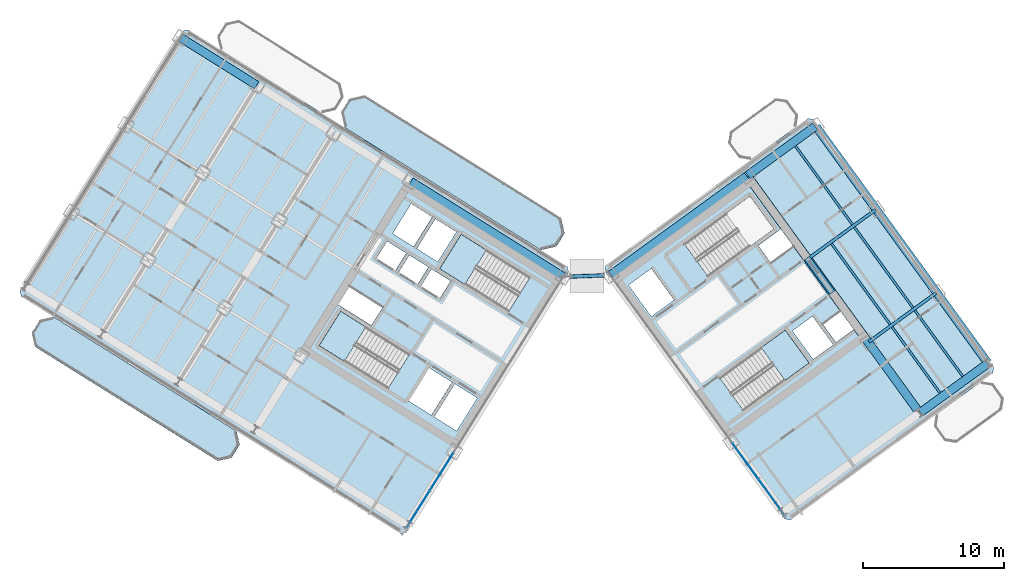
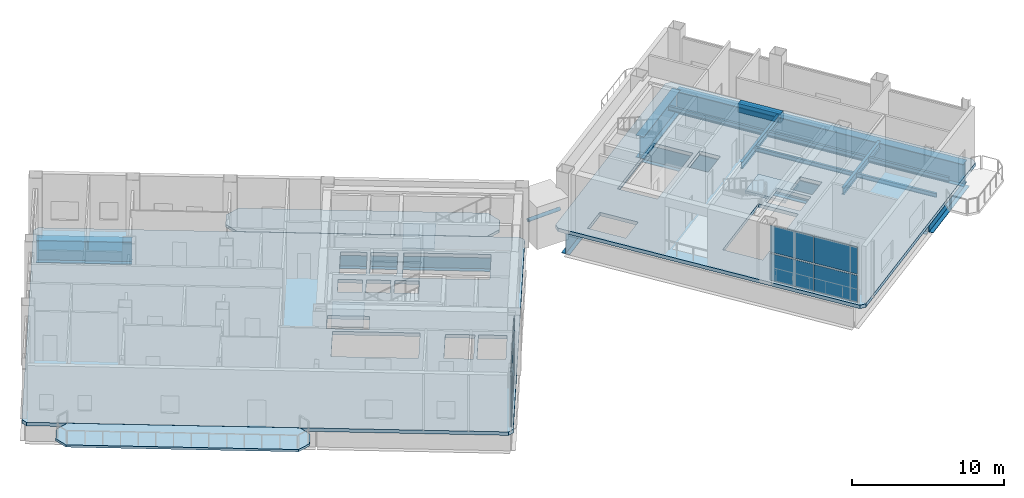
# One storey, part 9 of 22: 15 beams, 8 plates, 7 slabs, 1 member, 5 elements without a shape of their own.
"""IFC4 building model written with IfcOpenShell, lengths in metres."""

import ifcopenshell
import ifcopenshell.guid

model = None  # the IFC model being written
_history = None  # IfcOwnerHistory: only IFC2X3 demands one
_inside = {}  # id of a spatial element -> (the spatial element, [elements in it])
_under = {}  # id of a project, library or spatial element -> (it, [spatial elements below it])
_declared = {}  # id of a project -> (the project, [libraries it declares])
_typed = {}  # id of a type object -> (the type object, [elements of that type])
_made_of = {}  # id of a material, layer set ... -> (it, [elements and type objects made of it])


def new_model(schema):
    """Start an empty IFC model of exactly this schema.

    Asked for "IFC4X3", IfcOpenShell would pick the latest addendum, in which some entities
    have other attributes; the version numbers below select the first issue.
    IFC2X3 requires an IfcOwnerHistory on every rooted entity: one is made here for all.
    """
    global model, _history
    if schema == "IFC4X3":
        model = ifcopenshell.file(schema_version=(4, 3, 0, 0))
    else:
        model = ifcopenshell.file(schema=schema)
    _inside.clear()
    _under.clear()
    _declared.clear()
    _typed.clear()
    _made_of.clear()
    _history = None
    if model.schema == "IFC2X3":
        org = make("IfcOrganization", Name="unknown")
        user = make(
            "IfcPersonAndOrganization",
            ThePerson=make("IfcPerson", FamilyName="unknown"),
            TheOrganization=org,
        )
        app = make(
            "IfcApplication",
            ApplicationDeveloper=org,
            Version="unknown",
            ApplicationFullName="unknown",
            ApplicationIdentifier="unknown",
        )
        _history = make(
            "IfcOwnerHistory",
            OwningUser=user,
            OwningApplication=app,
            ChangeAction="ADDED",
            CreationDate=0,
        )
    return model


def make(cls, **values):
    """One entity of the class cls with the attributes given. An attribute that is None is left unset."""
    return model.create_entity(
        cls, **{name: value for name, value in values.items() if value is not None}
    )


def rooted(cls, **values):
    """An entity with a GlobalId (a new one), such as an element, a storey or a relation."""
    return make(cls, GlobalId=ifcopenshell.guid.new(), OwnerHistory=_history, **values)


def si_unit(unit_type, name, prefix=None):
    """IfcSIUnit, for example si_unit("LENGTHUNIT", "METRE", prefix="MILLI")."""
    return make("IfcSIUnit", UnitType=unit_type, Prefix=prefix, Name=name)


def assignment(units):
    """IfcUnitAssignment: the units of a project."""
    return None if units is None else make("IfcUnitAssignment", Units=units)


def point(xyz):
    """IfcCartesianPoint."""
    return None if xyz is None else make("IfcCartesianPoint", Coordinates=xyz)


def direction(xyz):
    """IfcDirection."""
    return None if xyz is None else make("IfcDirection", DirectionRatios=xyz)


def frame(location, z_axis=None, x_axis=None):
    """IfcAxis2Placement3D, a coordinate frame: its origin and axes. An axis left out is left unset."""
    return make(
        "IfcAxis2Placement3D",
        Location=point(location),
        Axis=direction(z_axis),
        RefDirection=direction(x_axis),
    )


def frame_2d(location, x_axis=None):
    """IfcAxis2Placement2D, a coordinate frame in the plane: its origin and x axis."""
    return make(
        "IfcAxis2Placement2D", Location=point(location), RefDirection=direction(x_axis)
    )


def origin():
    """The frame at (0, 0, 0) with its axes left unset."""
    return frame((0.0, 0.0, 0.0))


def origin_2d():
    """The frame at (0, 0) in the plane with its x axis left unset."""
    return frame_2d((0.0, 0.0))


def place(relative_to, where):
    """IfcLocalPlacement: puts the frame where relative to a parent placement (None: the world)."""
    return make(
        "IfcLocalPlacement", PlacementRelTo=relative_to, RelativePlacement=where
    )


def context(
    kind, dimensions, precision=None, world=None, true_north=None, identifier=None
):
    """IfcGeometricRepresentationContext, for example the 3D "Model" context."""
    return make(
        "IfcGeometricRepresentationContext",
        ContextIdentifier=identifier,
        ContextType=kind,
        CoordinateSpaceDimension=dimensions,
        Precision=precision,
        WorldCoordinateSystem=world,
        TrueNorth=true_north,
    )


def subcontext(parent, identifier, kind, view, scale=None):
    """IfcGeometricRepresentationSubContext, for example "Body" below "Model"."""
    return make(
        "IfcGeometricRepresentationSubContext",
        ContextIdentifier=identifier,
        ContextType=kind,
        ParentContext=parent,
        TargetScale=scale,
        TargetView=view,
    )


def project(units=None, contexts=None):
    """IfcProject with its units and contexts."""
    return rooted(
        "IfcProject",
        Name="project",
        RepresentationContexts=contexts,
        UnitsInContext=assignment(units),
    )


def spatial(cls, under=None, at=None, **own):
    """A site, building, storey or space (cls), placed at a placement, below another one or the project."""
    s = rooted(cls, ObjectPlacement=at, **own)
    if under is not None:
        _under.setdefault(under.id(), (under, []))[1].append(s)
    return s


def polyline(points):
    """IfcPolyline through the points."""
    return make("IfcPolyline", Points=[point(p) for p in points])


def profile(cls, at=None, kind="AREA", **sizes):
    """A parametric profile (cls). Its sizes go by their IFC names, for example OverallWidth=200.0."""
    return make(cls, ProfileType=kind, Position=at, **sizes)


def rectangle(**sizes):
    """IfcRectangleProfileDef."""
    return profile("IfcRectangleProfileDef", **sizes)


def hollow_circle(**sizes):
    """IfcCircleHollowProfileDef."""
    return profile("IfcCircleHollowProfileDef", **sizes)


def i_section(**sizes):
    """IfcIShapeProfileDef."""
    return profile("IfcIShapeProfileDef", **sizes)


def outline(outer, holes=None, kind="AREA"):
    """IfcArbitraryClosedProfileDef: a profile drawn as a closed curve; with holes, ...WithVoids."""
    if holes is None:
        return make("IfcArbitraryClosedProfileDef", ProfileType=kind, OuterCurve=outer)
    return make(
        "IfcArbitraryProfileDefWithVoids",
        ProfileType=kind,
        OuterCurve=outer,
        InnerCurves=holes,
    )


def extrude(swept, where, along, depth):
    """IfcExtrudedAreaSolid: the profile swept, set in the frame where, extruded along a direction by depth."""
    return make(
        "IfcExtrudedAreaSolid",
        SweptArea=swept,
        Position=where,
        ExtrudedDirection=direction(along),
        Depth=depth,
    )


def shape(context_of_items, identifier, shape_type, items):
    """IfcShapeRepresentation: the items that make up one representation, for example the "Body"."""
    return make(
        "IfcShapeRepresentation",
        ContextOfItems=context_of_items,
        RepresentationIdentifier=identifier,
        RepresentationType=shape_type,
        Items=items,
    )


def source(mapping_origin, context_of_items, identifier, shape_type, items):
    """IfcRepresentationMap: a shape defined once, which mapped items show again and again."""
    return make(
        "IfcRepresentationMap",
        MappingOrigin=mapping_origin,
        MappedRepresentation=shape(context_of_items, identifier, shape_type, items),
    )


def transform(
    local_origin,
    x_axis=None,
    y_axis=None,
    z_axis=None,
    scale=None,
    scale2=None,
    scale3=None,
    uniform=True,
):
    """IfcCartesianTransformationOperator3D, or its non-uniform kind. x_axis, y_axis, z_axis: its Axis1, 2, 3."""
    if uniform:
        return make(
            "IfcCartesianTransformationOperator3D",
            Axis1=direction(x_axis),
            Axis2=direction(y_axis),
            LocalOrigin=point(local_origin),
            Scale=scale,
            Axis3=direction(z_axis),
        )
    return make(
        "IfcCartesianTransformationOperator3DnonUniform",
        Axis1=direction(x_axis),
        Axis2=direction(y_axis),
        LocalOrigin=point(local_origin),
        Scale=scale,
        Axis3=direction(z_axis),
        Scale2=scale2,
        Scale3=scale3,
    )


def mapped(mapping_source, mapping_target):
    """IfcMappedItem: shows the shape of a source again, moved by a transform."""
    return make(
        "IfcMappedItem", MappingSource=mapping_source, MappingTarget=mapping_target
    )


def material(Name=None, Category=None):
    """IfcMaterial."""
    return make("IfcMaterial", Name=Name, Category=Category)


def layer(
    of_material, thickness, ventilated=None, Name=None, Category=None, Priority=None
):
    """IfcMaterialLayer: one layer of a wall or slab, of a material (None: an air gap)."""
    return make(
        "IfcMaterialLayer",
        Material=of_material,
        LayerThickness=thickness,
        IsVentilated=ventilated,
        Name=Name,
        Category=Category,
        Priority=Priority,
    )


def layer_set(layers, Name=None):
    """IfcMaterialLayerSet."""
    return make("IfcMaterialLayerSet", MaterialLayers=layers, LayerSetName=Name)


def material_profile(
    of_material, cross_section, Name=None, Category=None, Priority=None
):
    """IfcMaterialProfile: a cross section and its material."""
    return make(
        "IfcMaterialProfile",
        Name=Name,
        Material=of_material,
        Profile=cross_section,
        Priority=Priority,
        Category=Category,
    )


def profile_set(profiles, Name=None, composite=None):
    """IfcMaterialProfileSet."""
    return make(
        "IfcMaterialProfileSet",
        Name=Name,
        MaterialProfiles=profiles,
        CompositeProfile=composite,
    )


def made_of(thing, what):
    """Note that an element or type object is made of a material, layer set ...; save() writes the relation."""
    if what is not None:
        _made_of.setdefault(what.id(), (what, []))[1].append(thing)
    return thing


def type_object(cls, material=None, **own):
    """A type object (cls), such as IfcWallType, which elements share."""
    return made_of(rooted(cls, **own), material)


def element(
    cls,
    number,
    at=None,
    inside=None,
    cuts=None,
    type_object=None,
    material=None,
    context=None,
    identifier="Body",
    shape_type=None,
    held_by="IfcProductDefinitionShape",
    body=None,
    shapes=None,
    **own,
):
    """One element of the class cls, such as IfcWall. Its Tag is "e" and its number.

    at: its placement. inside: the storey or other place that contains it. cuts: it is an
    opening in that element (IfcRelVoidsElement). A single representation is given by context,
    identifier, shape_type and body (its items); several are given by shapes. held_by: the class
    of the entity that holds the representations. save() writes the other relations.
    """
    e = rooted(cls, Tag="e%d" % number, ObjectPlacement=at, **own)
    if body is not None:
        shapes = [shape(context, identifier, shape_type, body)]
    if shapes is not None:
        e.Representation = make(held_by, Representations=shapes)
    if inside is not None:
        _inside.setdefault(inside.id(), (inside, []))[1].append(e)
    if cuts is not None:
        rooted(
            "IfcRelVoidsElement", RelatingBuildingElement=cuts, RelatedOpeningElement=e
        )
    if type_object is not None:
        _typed.setdefault(type_object.id(), (type_object, []))[1].append(e)
    return made_of(e, material)


def aggregate(whole, parts):
    """IfcRelAggregates: a whole, such as a stair, and the parts it consists of."""
    return rooted("IfcRelAggregates", RelatingObject=whole, RelatedObjects=parts)


def save(model, path):
    """Write the relations noted so far, then the file.

    IfcRelAggregates (storeys below a building ...), IfcRelContainedInSpatialStructure (elements
    in a storey), IfcRelDefinesByType, IfcRelAssociatesMaterial and IfcRelDeclares: one each for
    every whole, place, type object, material and project.
    """
    for whole, parts in _under.values():
        aggregate(whole, parts)
    for where, things in _inside.values():
        rooted(
            "IfcRelContainedInSpatialStructure",
            RelatedElements=things,
            RelatingStructure=where,
        )
    for kind, things in _typed.values():
        rooted("IfcRelDefinesByType", RelatedObjects=things, RelatingType=kind)
    for what, things in _made_of.values():
        rooted("IfcRelAssociatesMaterial", RelatedObjects=things, RelatingMaterial=what)
    for by, libraries in _declared.values():
        rooted("IfcRelDeclares", RelatingContext=by, RelatedDefinitions=libraries)
    model.write(path)


model = new_model("IFC4")

# Units and contexts
model_context = context("Model", 3, precision=1e-05, world=origin(), true_north=direction((0.0, 1.0)))
body_context = subcontext(model_context, "Body", "Model", "MODEL_VIEW")
ifc_project = project(units=[si_unit("LENGTHUNIT", "METRE"), si_unit("AREAUNIT", "SQUARE_METRE"), si_unit("VOLUMEUNIT", "CUBIC_METRE"), si_unit("PLANEANGLEUNIT", "RADIAN"), si_unit("MASSUNIT", "GRAM", prefix="KILO")], contexts=[model_context])

# Site, building, storey
site_placement = place(None, origin())
site = spatial("IfcSite", under=ifc_project, at=site_placement, CompositionType="ELEMENT")
building_placement = place(site_placement, origin())
building = spatial("IfcBuilding", under=site, at=building_placement, Name="Tlacorven Tower", CompositionType="ELEMENT")
storey_placement = place(building_placement, frame((0.0, 0.0, 127.800048828125)))
storey = spatial("IfcBuildingStorey", under=building, at=storey_placement, Name="L32", CompositionType="ELEMENT", Elevation=127.800048828125)

# Beams
ifc_material_1 = material(Name="Concrete C60/75", Category="concrete")
ifc_material_profile_1 = material_profile(ifc_material_1, rectangle(XDim=0.449951171875, YDim=0.699951171875, at=origin_2d()), Name="RC 450X700")
ifc_profile_set_1 = profile_set([ifc_material_profile_1], Name="Concrete C60/75")
beam_type_1 = type_object("IfcBeamType", Name="BM-LNT-700", PredefinedType="LINTEL", material=ifc_profile_set_1)
shared_shape_1 = source(origin(), body_context, "Body", "SweptSolid", [
    extrude(rectangle(XDim=0.449951171875, YDim=0.699951171875, at=origin_2d()), origin(), (0.0, 0.0, 1.0), 3.050048828125),
])
beam_1_placement = place(storey_placement, frame((59.856689453125, 23.345947265625, 4.199951171875), z_axis=(-0.587776590479, 0.80902328748, 0.0), x_axis=(-0.80902328748, -0.587776590479, 0.0)))
element("IfcBeam", 1, at=beam_1_placement, inside=storey, type_object=beam_type_1, Name="L32 E core coupling lintel beam E2", PredefinedType="LINTEL", context=body_context, shape_type="MappedRepresentation", body=[
    mapped(shared_shape_1, transform((0.0, 0.0, 0.0), scale=1.0)),
])
ifc_material_2 = material(Name="Steel S460M", Category="steel")
ifc_material_profile_2 = material_profile(ifc_material_2, i_section(OverallWidth=0.60009765625, OverallDepth=1.800048828125, WebThickness=0.028076171875, FlangeThickness=0.0400390625, at=origin_2d()), Name="PG 1800X600X28X40")
ifc_profile_set_2 = profile_set([ifc_material_profile_2], Name="Steel S460M")
beam_type_2 = type_object("IfcBeamType", Name="BM-TRG-1800", PredefinedType="USERDEFINED", material=ifc_profile_set_2)
shared_shape_2 = source(origin(), body_context, "Body", "SweptSolid", [
    extrude(i_section(OverallWidth=0.60009765625, OverallDepth=1.800048828125, WebThickness=0.028076171875, FlangeThickness=0.0400390625, at=origin_2d()), origin(), (0.0, 0.0, 1.0), 20.72021484375),
])
beam_2_placement = place(storey_placement, frame((66.034423828125, 14.84326171875, -1.179931640625), z_axis=(-0.587784199495, 0.809017759276, 0.0), x_axis=(-0.809017759276, -0.587784199495, 0.0)))
element("IfcBeam", 2, at=beam_2_placement, inside=storey, type_object=beam_type_2, Name="L32 beam BM-L32-ET3-1", ObjectType="TRANSFER GIRDER", PredefinedType="USERDEFINED", context=body_context, shape_type="MappedRepresentation", body=[
    mapped(shared_shape_2, transform((0.0, 0.0, 0.0), scale=1.0)),
])
shared_shape_3 = source(origin(), body_context, "Body", "SweptSolid", [
    extrude(i_section(OverallWidth=0.60009765625, OverallDepth=1.800048828125, WebThickness=0.028076171875, FlangeThickness=0.0400390625, at=origin_2d()), origin(), (0.0, 0.0, 1.0), 20.719970703125),
])
beam_3_placement = place(storey_placement, frame((70.888427734375, 18.3701171875, -1.179931640625), z_axis=(-0.587789802576, 0.809013688381, 0.0), x_axis=(-0.809013688381, -0.587789802576, 0.0)))
element("IfcBeam", 3, at=beam_3_placement, inside=storey, type_object=beam_type_2, Name="L32 beam BM-L32-ET4-1", ObjectType="TRANSFER GIRDER", PredefinedType="USERDEFINED", context=body_context, shape_type="MappedRepresentation", body=[
    mapped(shared_shape_3, transform((0.0, 0.0, 0.0), scale=1.0)),
])
shared_shape_4 = source(origin(), body_context, "Body", "SweptSolid", [
    extrude(i_section(OverallWidth=0.60009765625, OverallDepth=1.800048828125, WebThickness=0.028076171875, FlangeThickness=0.0400390625, at=origin_2d()), origin(), (0.0, 0.0, 1.0), 12.699951171875),
])
beam_4_placement = place(storey_placement, frame((40.740478515625, 24.494873046875, -1.179931640625), z_axis=(-0.848043660692, 0.529926362394, 0.0), x_axis=(-0.529926362394, -0.848043660692, 0.0)))
element("IfcBeam", 4, at=beam_4_placement, inside=storey, type_object=beam_type_2, Name="L32 beam BM-L32-WL1-1", ObjectType="TRANSFER GIRDER", PredefinedType="USERDEFINED", context=body_context, shape_type="MappedRepresentation", body=[
    mapped(shared_shape_4, transform((0.0, 0.0, 0.0), scale=1.0)),
])
shared_shape_5 = source(origin(), body_context, "Body", "SweptSolid", [
    extrude(i_section(OverallWidth=0.60009765625, OverallDepth=1.800048828125, WebThickness=0.028076171875, FlangeThickness=0.0400390625, at=origin_2d()), origin(), (0.0, 0.0, 1.0), 6.300048828125),
])
beam_5_placement = place(storey_placement, frame((19.030517578125, 38.060791015625, -1.179931640625), z_axis=(-0.848041842361, 0.529929272267, 0.0), x_axis=(-0.529929272267, -0.848041842361, 0.0)))
element("IfcBeam", 5, at=beam_5_placement, inside=storey, type_object=beam_type_2, Name="L32 beam BM-L32-WL1-5", ObjectType="TRANSFER GIRDER", PredefinedType="USERDEFINED", context=body_context, shape_type="MappedRepresentation", body=[
    mapped(shared_shape_5, transform((0.0, 0.0, 0.0), scale=1.0)),
])
shared_shape_6 = source(origin(), body_context, "Body", "SweptSolid", [
    extrude(i_section(OverallWidth=0.60009765625, OverallDepth=1.800048828125, WebThickness=0.028076171875, FlangeThickness=0.0400390625, at=origin_2d()), origin(), (0.0, 0.0, 1.0), 11.89990234375),
])
beam_6_placement = place(storey_placement, frame((44.164306640625, 24.614501953125, -1.179931640625), z_axis=(0.809014570063, 0.587788589057, 0.0), x_axis=(-0.587788589057, 0.809014570063, 0.0)))
element("IfcBeam", 6, at=beam_6_placement, inside=storey, type_object=beam_type_2, Name="L32 beam BM-L32-EL4-1", ObjectType="TRANSFER GIRDER", PredefinedType="USERDEFINED", context=body_context, shape_type="MappedRepresentation", body=[
    mapped(shared_shape_6, transform((0.0, 0.0, 0.0), scale=1.0)),
])
shared_shape_7 = source(origin(), body_context, "Body", "SweptSolid", [
    extrude(i_section(OverallWidth=0.60009765625, OverallDepth=1.800048828125, WebThickness=0.028076171875, FlangeThickness=0.0400390625, at=origin_2d()), origin(), (0.0, 0.0, 1.0), 5.900146484375),
])
beam_7_placement = place(storey_placement, frame((66.098388671875, 14.84033203125, -1.179931640625), z_axis=(0.80900977213, 0.587795192732, 0.0), x_axis=(-0.587795192732, 0.80900977213, 0.0)))
element("IfcBeam", 7, at=beam_7_placement, inside=storey, type_object=beam_type_2, Name="L32 beam BM-L32-EL1-3", ObjectType="TRANSFER GIRDER", PredefinedType="USERDEFINED", context=body_context, shape_type="MappedRepresentation", body=[
    mapped(shared_shape_7, transform((0.0, 0.0, 0.0), scale=1.0)),
])
shared_shape_8 = source(origin(), body_context, "Body", "SweptSolid", [
    extrude(i_section(OverallWidth=0.60009765625, OverallDepth=1.800048828125, WebThickness=0.028076171875, FlangeThickness=0.0400390625, at=origin_2d()), origin(), (0.0, 0.0, 1.0), 5.89990234375),
])
beam_8_placement = place(storey_placement, frame((53.872314453125, 31.66796875, -1.179931640625), z_axis=(0.809029449413, 0.587768109021, 0.0), x_axis=(-0.587768109021, 0.809029449413, 0.0)))
element("IfcBeam", 8, at=beam_8_placement, inside=storey, type_object=beam_type_2, Name="L32 beam BM-L32-EL4-3", ObjectType="TRANSFER GIRDER", PredefinedType="USERDEFINED", context=body_context, shape_type="MappedRepresentation", body=[
    mapped(shared_shape_8, transform((0.0, 0.0, 0.0), scale=1.0)),
])

# Member
ifc_material_3 = material(Name="Steel S355J2", Category="steel")
ifc_material_profile_3 = material_profile(ifc_material_3, hollow_circle(Radius=0.136474609375, WallThickness=0.012451171875, at=origin_2d()), Name="CHS 273.0X12.5")
ifc_profile_set_3 = profile_set([ifc_material_profile_3], Name="Steel S355J2")
member_type = type_object("IfcMemberType", Name="MB-TRB-STR", PredefinedType="STRUT", material=ifc_profile_set_3)
shared_shape_9 = source(origin(), body_context, "Body", "SweptSolid", [
    extrude(hollow_circle(Radius=0.136474609375, WallThickness=0.012451171875, at=origin_2d()), origin(), (0.0, 0.0, 1.0), 2.48291015625),
])
member_placement = place(storey_placement, frame((41.212646484375, 24.4833984375, 1.75), z_axis=(0.999390603059, 0.034905909493, 0.0), x_axis=(-0.034905909493, 0.999390603059, 0.0)))
element("IfcMember", 9, at=member_placement, inside=storey, type_object=member_type, Name="L32 Venturi Wind-Turbine Slot Ring Strut", PredefinedType="STRUT", context=body_context, shape_type="MappedRepresentation", body=[
    mapped(shared_shape_9, transform((0.0, 0.0, 0.0), scale=1.0)),
])

# Beams
ifc_material_profile_4 = material_profile(ifc_material_3, i_section(OverallWidth=0.159912109375, OverallDepth=0.330078125, WebThickness=0.007568359375, FlangeThickness=0.011474609375, at=origin_2d()), Name="IPE 330")
ifc_profile_set_4 = profile_set([ifc_material_profile_4], Name="Steel S355J2")
beam_type_3 = type_object("IfcBeamType", Name="BM-JST-330", PredefinedType="JOIST", material=ifc_profile_set_4)
shared_shape_10 = source(origin(), body_context, "Body", "SweptSolid", [
    extrude(i_section(OverallWidth=0.159912109375, OverallDepth=0.330078125, WebThickness=0.007568359375, FlangeThickness=0.011474609375, at=origin_2d()), origin(), (0.0, 0.0, 1.0), 7.080078125),
])
beam_9_placement = place(storey_placement, frame((65.5849609375, 22.266845703125, -0.445068359375), z_axis=(-0.587759505125, 0.809035700161, 0.0), x_axis=(-0.809035700161, -0.587759505125, 0.0)))
element("IfcBeam", 10, at=beam_9_placement, inside=storey, type_object=beam_type_3, Name="L32 beam BM-L32-EJ3-2-2", PredefinedType="JOIST", context=body_context, shape_type="MappedRepresentation", body=[
    mapped(shared_shape_10, transform((0.0, 0.0, 0.0), scale=1.0)),
])
shared_shape_11 = source(origin(), body_context, "Body", "SweptSolid", [
    extrude(i_section(OverallWidth=0.159912109375, OverallDepth=0.330078125, WebThickness=0.007568359375, FlangeThickness=0.011474609375, at=origin_2d()), origin(), (0.0, 0.0, 1.0), 5.78515625),
])
beam_10_placement = place(storey_placement, frame((67.49658203125, 16.233154296875, -0.445068359375), z_axis=(-0.587790216937, 0.809013387326, 0.0), x_axis=(-0.809013387326, -0.587790216937, 0.0)))
element("IfcBeam", 11, at=beam_10_placement, inside=storey, type_object=beam_type_3, Name="L32 beam BM-L32-EJ3-1-1", PredefinedType="JOIST", context=body_context, shape_type="MappedRepresentation", body=[
    mapped(shared_shape_11, transform((0.0, 0.0, 0.0), scale=1.0)),
])
shared_shape_12 = source(origin(), body_context, "Body", "SweptSolid", [
    extrude(i_section(OverallWidth=0.159912109375, OverallDepth=0.330078125, WebThickness=0.007568359375, FlangeThickness=0.011474609375, at=origin_2d()), origin(), (0.0, 0.0, 1.0), 6.885009765625),
])
beam_11_placement = place(storey_placement, frame((61.294189453125, 28.1728515625, -0.445068359375), z_axis=(-0.58778367928, 0.809018137233, 0.0), x_axis=(-0.809018137233, -0.58778367928, 0.0)))
element("IfcBeam", 12, at=beam_11_placement, inside=storey, type_object=beam_type_3, Name="L32 beam BM-L32-EJ3-3-2", PredefinedType="JOIST", context=body_context, shape_type="MappedRepresentation", body=[
    mapped(shared_shape_12, transform((0.0, 0.0, 0.0), scale=1.0)),
])
shared_shape_13 = source(origin(), body_context, "Body", "SweptSolid", [
    extrude(i_section(OverallWidth=0.159912109375, OverallDepth=0.330078125, WebThickness=0.007568359375, FlangeThickness=0.011474609375, at=origin_2d()), origin(), (0.0, 0.0, 1.0), 5.784912109375),
])
beam_12_placement = place(storey_placement, frame((69.11474609375, 17.408935546875, -0.445068359375), z_axis=(-0.587810285791, 0.808998805882, 0.0), x_axis=(-0.808998805882, -0.587810285791, 0.0)))
element("IfcBeam", 13, at=beam_12_placement, inside=storey, type_object=beam_type_3, Name="L32 beam BM-L32-EJ3-1-2", PredefinedType="JOIST", context=body_context, shape_type="MappedRepresentation", body=[
    mapped(shared_shape_13, transform((0.0, 0.0, 0.0), scale=1.0)),
])
shared_shape_14 = source(origin(), body_context, "Body", "SweptSolid", [
    extrude(i_section(OverallWidth=0.159912109375, OverallDepth=0.330078125, WebThickness=0.007568359375, FlangeThickness=0.011474609375, at=origin_2d()), origin(), (0.0, 0.0, 1.0), 7.080322265625),
])
beam_13_placement = place(storey_placement, frame((63.967041015625, 21.09130859375, -0.445068359375), z_axis=(-0.587782074775, 0.809019302967, 0.0), x_axis=(-0.809019302967, -0.587782074775, 0.0)))
element("IfcBeam", 14, at=beam_13_placement, inside=storey, type_object=beam_type_3, Name="L32 beam BM-L32-EJ3-2-1", PredefinedType="JOIST", context=body_context, shape_type="MappedRepresentation", body=[
    mapped(shared_shape_14, transform((0.0, 0.0, 0.0), scale=1.0)),
])
ifc_material_profile_5 = material_profile(ifc_material_3, i_section(OverallWidth=0.2099609375, OverallDepth=0.550048828125, WebThickness=0.010986328125, FlangeThickness=0.01708984375, at=origin_2d()), Name="IPE 550")
ifc_profile_set_5 = profile_set([ifc_material_profile_5], Name="Steel S355J2")
beam_type_4 = type_object("IfcBeamType", Name="BM-TWR-550", PredefinedType="BEAM", material=ifc_profile_set_5)
shared_shape_15 = source(origin(), body_context, "Body", "SweptSolid", [
    extrude(i_section(OverallWidth=0.2099609375, OverallDepth=0.550048828125, WebThickness=0.010986328125, FlangeThickness=0.01708984375, at=origin_2d()), origin(), (0.0, 0.0, 1.0), 5.900146484375),
])
for number, where, z_axis, x_axis, name in (
    (15, (62.4541015625, 19.856201171875, -0.554931640625), (0.80900977213, 0.587795192732, 0.0), (-0.587795192732, 0.80900977213, 0.0), "L32 beam BM-L32-EL2-3"),
    (16, (58.163330078125, 25.761962890625, -0.554931640625), (0.80900977213, 0.587795192732, 0.0), (-0.587795192732, 0.80900977213, 0.0), "L32 beam BM-L32-EL3-3"),
):
    element("IfcBeam", number, at=place(storey_placement, frame(where, z_axis=z_axis, x_axis=x_axis)), inside=storey, type_object=beam_type_4, Name=name, PredefinedType="BEAM", context=body_context, shape_type="MappedRepresentation", body=[
        mapped(shared_shape_15, transform((0.0, 0.0, 0.0), scale=1.0)),
    ])

# Slab
ifc_material_4 = material(Name="Precast concrete C45/55", Category="concrete")
ifc_layer_1 = layer(ifc_material_4, 0.179931640625)
ifc_layer_set_1 = layer_set([ifc_layer_1], Name="Precast concrete C45/55")
slab_type_1 = type_object("IfcSlabType", Name="SL-BAL-180", PredefinedType="USERDEFINED", material=ifc_layer_set_1)
slab_1_placement = place(storey_placement, frame((0.0, 0.0, -0.179931640625)))
element("IfcSlab", 17, at=slab_1_placement, inside=storey, type_object=slab_type_1, Name="L32 West Wing Balcony Ribbon OUT", ObjectType="BALCONY SLAB", PredefinedType="USERDEFINED", context=body_context, shape_type="SweptSolid", body=[
    extrude(outline(polyline([(17.601318359375, 13.52490234375), (4.626220703125, 21.632568359375), (3.66162109375, 21.409912109375), (3.081298828125, 20.4814453125), (3.303955078125, 19.516845703125), (16.279052734375, 11.408935546875), (17.24365234375, 11.6318359375), (17.823974609375, 12.560302734375), (17.601318359375, 13.52490234375)])), origin(), (0.0, 0.0, 1.0), 0.179931640625),
])

# Stair, slab
ifc_material_5 = material(Name="Concrete C40/50", Category="concrete")
stair_type = type_object("IfcStairType", Name="ST-CORE-DLG", PredefinedType="HALF_TURN_STAIR", material=ifc_material_5)
stair_1_placement = place(storey_placement, origin())
stair_1 = element("IfcStair", 18, at=stair_1_placement, inside=storey, type_object=stair_type, Name="L32 Protected Exit Stair West 1", PredefinedType="HALF_TURN_STAIR")
ifc_layer_2 = layer(ifc_material_5, 0.199951171875)
ifc_layer_set_2 = layer_set([ifc_layer_2], Name="Concrete C40/50")
slab_type_2 = type_object("IfcSlabType", Name="SL-LND-200", PredefinedType="LANDING", material=ifc_layer_set_2)
slab_2_placement = place(storey_placement, frame((0.0, 0.0, 2.199951171875)))
slab_2 = element("IfcSlab", 19, at=slab_2_placement, type_object=slab_type_2, Name="ST-W1 landing 1", PredefinedType="LANDING", context=body_context, shape_type="SweptSolid", body=[
    extrude(outline(polyline([(26.778564453125, 20.90869140625), (24.9892578125, 22.02685546875), (23.463134765625, 19.58447265625), (25.25244140625, 18.46630859375), (26.778564453125, 20.90869140625)])), origin(), (0.0, 0.0, 1.0), 0.199951171875),
])
aggregate(stair_1, [slab_2])

stair_2_placement = place(storey_placement, origin())
stair_2 = element("IfcStair", 20, at=stair_2_placement, inside=storey, type_object=stair_type, Name="L32 Protected Exit Stair West 2", PredefinedType="HALF_TURN_STAIR")
slab_3_placement = place(storey_placement, frame((0.0, 0.0, 2.199951171875)))
slab_3 = element("IfcSlab", 21, at=slab_3_placement, type_object=slab_type_2, Name="ST-W2 landing 1", PredefinedType="LANDING", context=body_context, shape_type="SweptSolid", body=[
    extrude(outline(polyline([(35.330078125, 26.366455078125), (33.540771484375, 27.484375), (32.0146484375, 25.0419921875), (33.803955078125, 23.924072265625), (35.330078125, 26.366455078125)])), origin(), (0.0, 0.0, 1.0), 0.199951171875),
])
aggregate(stair_2, [slab_3])

stair_3_placement = place(storey_placement, origin())
stair_3 = element("IfcStair", 22, at=stair_3_placement, inside=storey, type_object=stair_type, Name="L32 Protected Exit Stair East 2", PredefinedType="HALF_TURN_STAIR")
slab_4_placement = place(storey_placement, frame((0.0, 0.0, 2.199951171875)))
slab_4 = element("IfcSlab", 23, at=slab_4_placement, type_object=slab_type_2, Name="ST-E2 landing 1", PredefinedType="LANDING", context=body_context, shape_type="SweptSolid", body=[
    extrude(outline(polyline([(56.5078125, 17.1181640625), (58.21484375, 18.3583984375), (56.52197265625, 20.6884765625), (54.81494140625, 19.4482421875), (56.5078125, 17.1181640625)])), origin(), (0.0, 0.0, 1.0), 0.199951171875),
])
aggregate(stair_3, [slab_4])

# Slabs
ifc_layer_3 = layer(ifc_material_5, 0.219970703125)
ifc_layer_set_3 = layer_set([ifc_layer_3], Name="Concrete C40/50")
slab_type_3 = type_object("IfcSlabType", Name="SL-TER-220", PredefinedType="FLOOR", material=ifc_layer_set_3)
slab_5_placement = place(storey_placement, frame((0.0, 0.0, -0.219970703125)))
element("IfcSlab", 24, at=slab_5_placement, inside=storey, type_object=slab_type_3, Name="L32 West Wing Planted Sky-Garden Terrace Slab", PredefinedType="FLOOR", context=body_context, shape_type="SweptSolid", body=[
    extrude(outline(polyline([(40.614990234375, 28.6533203125), (26.70703125, 37.343994140625), (25.604736328125, 37.08935546875), (25.0244140625, 36.160888671875), (25.279052734375, 35.058349609375), (39.18701171875, 26.36767578125), (40.289306640625, 26.622314453125), (40.86962890625, 27.55078125), (40.614990234375, 28.6533203125)])), origin(), (0.0, 0.0, 1.0), 0.219970703125),
])
ifc_material_6 = material(Name="Concrete C50/60", Category="concrete")
ifc_layer_4 = layer(ifc_material_6, 0.280029296875)
ifc_layer_set_4 = layer_set([ifc_layer_4], Name="Concrete C50/60")
slab_type_4 = type_object("IfcSlabType", Name="SL-WND-280", PredefinedType="FLOOR", material=ifc_layer_set_4)
slab_6_placement = place(storey_placement, frame((0.0, 0.0, -0.280029296875)))
element("IfcSlab", 25, at=slab_6_placement, inside=storey, type_object=slab_type_4, Name="L32 West Wing Portal Floor Slab", PredefinedType="FLOOR", context=body_context, shape_type="SweptSolid", body=[
    extrude(outline(polyline([(41.06689453125, 25.18701171875), (14.1669921875, 41.99609375), (13.75341796875, 41.900634765625), (2.24365234375, 23.481201171875), (2.339111328125, 23.067626953125), (29.2392578125, 6.258544921875), (29.652587890625, 6.35400390625), (41.162353515625, 24.773681640625), (41.06689453125, 25.18701171875)]), holes=[polyline([(29.865478515625, 18.979736328125), (24.9892578125, 22.02685546875), (23.463134765625, 19.58447265625), (28.33935546875, 16.537353515625), (29.865478515625, 18.979736328125)]), polyline([(38.4169921875, 24.4375), (33.540771484375, 27.484375), (32.0146484375, 25.0419921875), (36.890869140625, 21.9951171875), (38.4169921875, 24.4375)]), polyline([(34.682373046875, 15.87548828125), (33.088134765625, 16.871826171875), (31.62548828125, 14.531005859375), (33.2197265625, 13.534912109375), (34.682373046875, 15.87548828125)]), polyline([(32.884521484375, 16.9990234375), (31.2392578125, 18.02685546875), (29.77685546875, 15.686279296875), (31.421875, 14.658203125), (32.884521484375, 16.9990234375)]), polyline([(33.197265625, 27.65185546875), (31.704833984375, 28.58447265625), (30.3798828125, 26.46435546875), (31.87255859375, 25.53173828125), (33.197265625, 27.65185546875)]), polyline([(31.484375, 28.722412109375), (29.99169921875, 29.655029296875), (28.6669921875, 27.534912109375), (30.159423828125, 26.602294921875), (31.484375, 28.722412109375)]), polyline([(32.794921875, 24.17724609375), (31.43798828125, 25.025146484375), (30.685546875, 23.82080078125), (32.042236328125, 22.972900390625), (32.794921875, 24.17724609375)]), polyline([(31.217529296875, 25.162841796875), (29.860595703125, 26.0107421875), (29.108154296875, 24.806396484375), (30.465087890625, 23.958740234375), (31.217529296875, 25.162841796875)]), polyline([(29.64013671875, 26.1484375), (28.283203125, 26.996337890625), (27.53076171875, 25.792236328125), (28.8876953125, 24.9443359375), (29.64013671875, 26.1484375)]), polyline([(27.96142578125, 22.2919921875), (25.603759765625, 23.76513671875), (24.80908203125, 22.4931640625), (27.16650390625, 21.02001953125), (27.96142578125, 22.2919921875)])]), origin(), (0.0, 0.0, 1.0), 0.280029296875),
])
slab_7_placement = place(storey_placement, frame((0.0, 0.0, -0.280029296875)))
element("IfcSlab", 26, at=slab_7_placement, inside=storey, type_object=slab_type_4, Name="L32 East Wing Portal Floor Slab", PredefinedType="FLOOR", context=body_context, shape_type="SweptSolid", body=[
    extrude(outline(polyline([(56.90966796875, 7.224853515625), (71.245361328125, 17.640380859375), (71.311767578125, 18.0595703125), (58.545166015625, 35.63134765625), (58.1259765625, 35.69775390625), (43.790283203125, 25.2822265625), (43.723876953125, 24.86328125), (56.49072265625, 7.291259765625), (56.90966796875, 7.224853515625)]), holes=[polyline([(51.05908203125, 24.481689453125), (55.7109375, 27.861572265625), (54.01806640625, 30.19140625), (49.3662109375, 26.811767578125), (51.05908203125, 24.481689453125)]), polyline([(53.56298828125, 14.978759765625), (58.21484375, 18.3583984375), (56.52197265625, 20.6884765625), (51.8701171875, 17.30859375), (53.56298828125, 14.978759765625)]), polyline([(47.0234375, 21.648681640625), (48.6416015625, 22.82421875), (47.019287109375, 25.05712890625), (45.401123046875, 23.881591796875), (47.0234375, 21.648681640625)]), polyline([(58.498779296875, 18.614013671875), (59.922607421875, 19.648681640625), (58.453125, 21.671142578125), (57.029296875, 20.63671875), (58.498779296875, 18.614013671875)]), polyline([(55.490478515625, 25.4765625), (57.092529296875, 26.640380859375), (56.210693359375, 27.85400390625), (54.60888671875, 26.690185546875), (55.490478515625, 25.4765625)]), polyline([(60.12109375, 19.817626953125), (61.38330078125, 20.734619140625), (60.45458984375, 22.012939453125), (59.192626953125, 21.095947265625), (60.12109375, 19.817626953125)])]), origin(), (0.0, 0.0, 1.0), 0.280029296875),
])

# Curtain wall, plates
ifc_material_7 = material(Name="Dark solar low-E double glazing in aluminium frame", Category="aluminium")
curtain_wall_type = type_object("IfcCurtainWallType", Name="CW-TWR-MID", PredefinedType="USERDEFINED", material=ifc_material_7)
curtain_wall_1_placement = place(storey_placement, origin())
curtain_wall_1 = element("IfcCurtainWall", 27, at=curtain_wall_1_placement, inside=storey, type_object=curtain_wall_type, Name="L32 CW-TWR-MID Curtain Wall 155", ObjectType="UNITISED CURTAIN WALL", PredefinedType="USERDEFINED")
ifc_material_8 = material(Name="High-wind dark solar tempered low-E glazing", Category="glass")
ifc_layer_5 = layer(ifc_material_8, 0.028076171875)
ifc_layer_set_5 = layer_set([ifc_layer_5], Name="High-wind dark solar tempered low-E glazing")
plate_type = type_object("IfcPlateType", Name="CWP-03", PredefinedType="CURTAIN_PANEL", material=ifc_layer_set_5)
shared_shape_16 = source(origin(), body_context, "Body", "SweptSolid", [
    extrude(rectangle(XDim=3.1298828125, YDim=0.028076171875, at=origin_2d()), origin(), (0.0, 0.0, 1.0), 2.153076171875),
])
plate_1_placement = place(storey_placement, frame((32.1474609375, 10.648681640625, 0.06103515625), z_axis=(0.0, 0.0, 1.0), x_axis=(-0.529919272078, -0.848048091255, 0.0)))
plate_1 = element("IfcPlate", 28, at=plate_1_placement, type_object=plate_type, Name="CW-L32-155 Glazing Panel 1", PredefinedType="CURTAIN_PANEL", context=body_context, shape_type="MappedRepresentation", body=[
    mapped(shared_shape_16, transform((0.0, 0.0, 0.0), scale=1.0)),
])
plate_2_placement = place(storey_placement, frame((32.1474609375, 10.648681640625, 2.3359375), z_axis=(0.0, 0.0, 1.0), x_axis=(-0.529919272078, -0.848048091255, 0.0)))
plate_2 = element("IfcPlate", 29, at=plate_2_placement, type_object=plate_type, Name="CW-L32-155 Glazing Panel 2", PredefinedType="CURTAIN_PANEL", context=body_context, shape_type="MappedRepresentation", body=[
    mapped(shared_shape_16, transform((0.0, 0.0, 0.0), scale=1.0)),
])
plate_3_placement = place(storey_placement, frame((30.4638671875, 7.95458984375, 0.06103515625), z_axis=(0.0, 0.0, 1.0), x_axis=(-0.529919272078, -0.848048091255, 0.0)))
plate_3 = element("IfcPlate", 30, at=plate_3_placement, type_object=plate_type, Name="CW-L32-155 Glazing Panel 3", PredefinedType="CURTAIN_PANEL", context=body_context, shape_type="MappedRepresentation", body=[
    mapped(shared_shape_16, transform((0.0, 0.0, 0.0), scale=1.0)),
])
plate_4_placement = place(storey_placement, frame((30.4638671875, 7.95458984375, 2.3359375), z_axis=(0.0, 0.0, 1.0), x_axis=(-0.529919272078, -0.848048091255, 0.0)))
plate_4 = element("IfcPlate", 31, at=plate_4_placement, type_object=plate_type, Name="CW-L32-155 Glazing Panel 4", PredefinedType="CURTAIN_PANEL", context=body_context, shape_type="MappedRepresentation", body=[
    mapped(shared_shape_16, transform((0.0, 0.0, 0.0), scale=1.0)),
])
aggregate(curtain_wall_1, [plate_1, plate_2, plate_3, plate_4])

curtain_wall_2_placement = place(storey_placement, origin())
curtain_wall_2 = element("IfcCurtainWall", 32, at=curtain_wall_2_placement, inside=storey, type_object=curtain_wall_type, Name="L32 CW-TWR-MID Curtain Wall 156", ObjectType="UNITISED CURTAIN WALL", PredefinedType="USERDEFINED")
plate_5_placement = place(storey_placement, frame((55.569580078125, 8.831298828125, 0.06103515625), z_axis=(0.0, 0.0, 1.0), x_axis=(-0.587785363163, 0.809016913823, 0.0)))
plate_5 = element("IfcPlate", 33, at=plate_5_placement, type_object=plate_type, Name="CW-L32-156 Glazing Panel 1", PredefinedType="CURTAIN_PANEL", context=body_context, shape_type="MappedRepresentation", body=[
    mapped(shared_shape_16, transform((0.0, 0.0, 0.0), scale=1.0)),
])
plate_6_placement = place(storey_placement, frame((55.569580078125, 8.831298828125, 2.3359375), z_axis=(0.0, 0.0, 1.0), x_axis=(-0.587785363163, 0.809016913823, 0.0)))
plate_6 = element("IfcPlate", 34, at=plate_6_placement, type_object=plate_type, Name="CW-L32-156 Glazing Panel 2", PredefinedType="CURTAIN_PANEL", context=body_context, shape_type="MappedRepresentation", body=[
    mapped(shared_shape_16, transform((0.0, 0.0, 0.0), scale=1.0)),
])
plate_7_placement = place(storey_placement, frame((53.7021484375, 11.4013671875, 0.06103515625), z_axis=(0.0, 0.0, 1.0), x_axis=(-0.587785363163, 0.809016913823, 0.0)))
plate_7 = element("IfcPlate", 35, at=plate_7_placement, type_object=plate_type, Name="CW-L32-156 Glazing Panel 3", PredefinedType="CURTAIN_PANEL", context=body_context, shape_type="MappedRepresentation", body=[
    mapped(shared_shape_16, transform((0.0, 0.0, 0.0), scale=1.0)),
])
plate_8_placement = place(storey_placement, frame((53.7021484375, 11.4013671875, 2.3359375), z_axis=(0.0, 0.0, 1.0), x_axis=(-0.587785363163, 0.809016913823, 0.0)))
plate_8 = element("IfcPlate", 36, at=plate_8_placement, type_object=plate_type, Name="CW-L32-156 Glazing Panel 4", PredefinedType="CURTAIN_PANEL", context=body_context, shape_type="MappedRepresentation", body=[
    mapped(shared_shape_16, transform((0.0, 0.0, 0.0), scale=1.0)),
])
aggregate(curtain_wall_2, [plate_5, plate_6, plate_7, plate_8])

save(model, "model.ifc")
